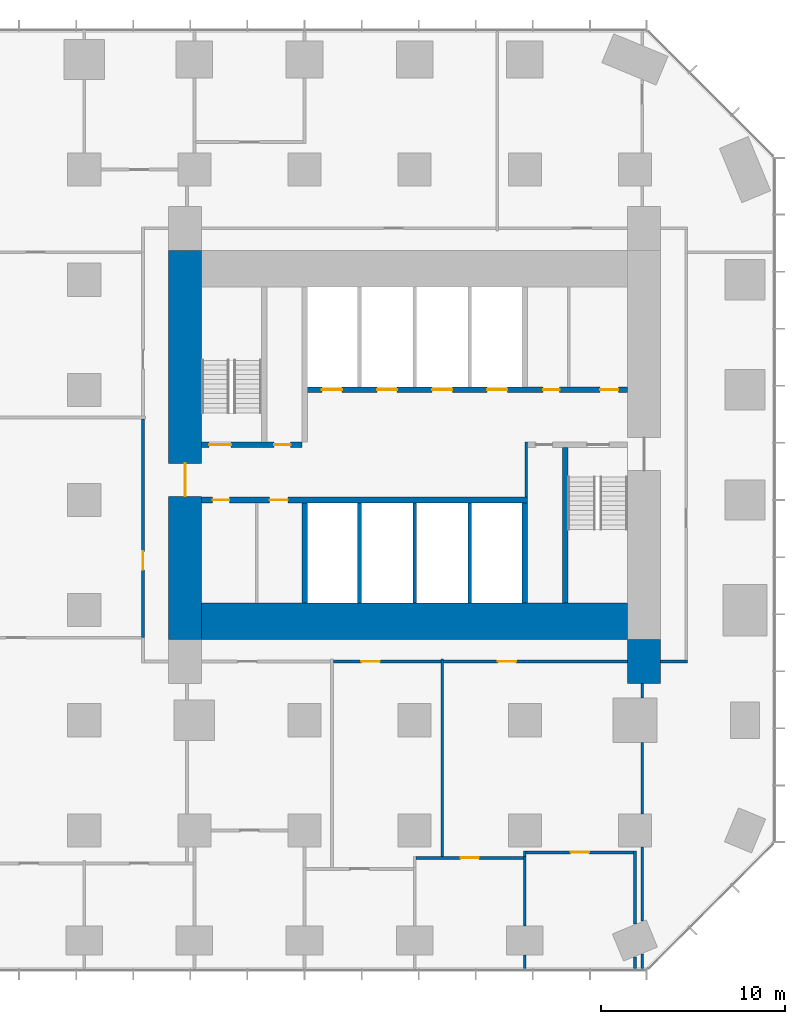
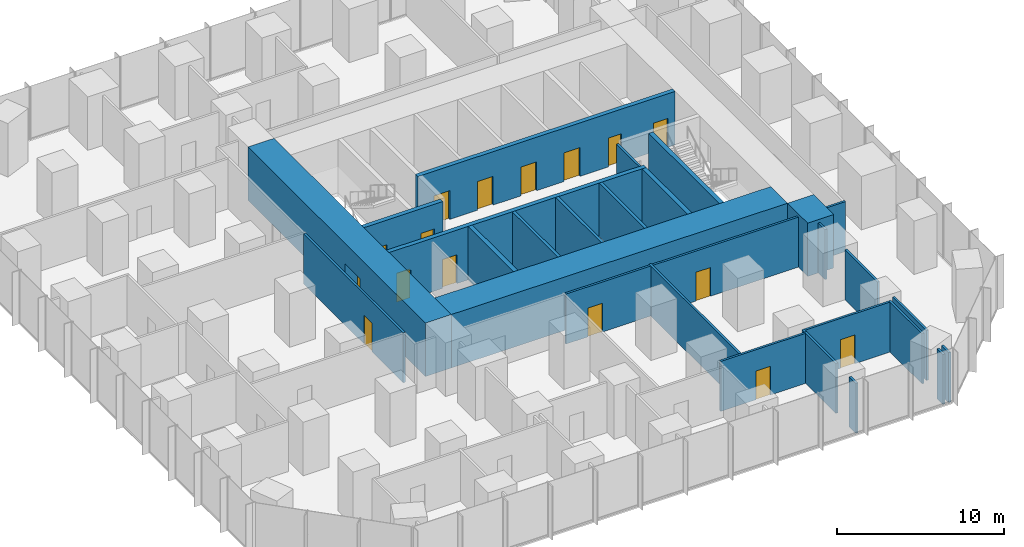
# One storey, part 9 of 12: 29 walls, 16 doors, 16 openings.
"""IFC4 building model written with IfcOpenShell, lengths in metres."""

from ifc_helpers import new_model, si_unit, direction, frame, frame_2d, origin, place, context, subcontext, project, spatial, rectangle, extrude, material, layer, layer_set, type_object, element, fill, save


model = new_model("IFC4")

# Units and contexts
model_context = context("Model", 3, precision=1e-05, world=origin(), true_north=direction((0.0, 1.0)))
body_context = subcontext(model_context, "Body", "Model", "MODEL_VIEW")
ifc_project = project(units=[si_unit("LENGTHUNIT", "METRE"), si_unit("AREAUNIT", "SQUARE_METRE"), si_unit("VOLUMEUNIT", "CUBIC_METRE"), si_unit("PLANEANGLEUNIT", "RADIAN"), si_unit("MASSUNIT", "GRAM", prefix="KILO")], contexts=[model_context])

# Site, building, storey
site_placement = place(None, origin())
site = spatial("IfcSite", under=ifc_project, at=site_placement, CompositionType="ELEMENT")
building_placement = place(site_placement, origin())
building = spatial("IfcBuilding", under=site, at=building_placement, Name="Highveld Stack Headquarters", CompositionType="ELEMENT")
storey_placement = place(building_placement, frame((0.0, 0.0, 22.10009765625)))
storey = spatial("IfcBuildingStorey", under=building, at=storey_placement, Name="L04", CompositionType="ELEMENT", Elevation=22.10009765625)

# Wall, opening, door
ifc_material_1 = material(Name="Concrete C60/75", Category="concrete")
ifc_layer_1 = layer(ifc_material_1, 1.800048828125)
ifc_layer_set_1 = layer_set([ifc_layer_1], Name="Concrete C60/75")
wall_type_1 = type_object("IfcWallType", Name="CORE WALL 1800 C60/75", PredefinedType="SHEAR", material=ifc_layer_set_1)
wall_1_placement = place(storey_placement, frame((-6.5, -7.60009765625, 0.0), z_axis=(0.0, 0.0, 1.0), x_axis=(0.0, 1.0, 0.0)))
wall_1 = element("IfcWall", 1, at=wall_1_placement, inside=storey, type_object=wall_type_1, Name="Core wall W L04", PredefinedType="SHEAR", context=body_context, shape_type="SweptSolid", body=[
    extrude(rectangle(XDim=21.2001953125, YDim=1.800048828125, at=frame_2d((10.60009765625, 0.0))), origin(), (0.0, 0.0, 1.0), 3.89990234375),
])
opening_1_placement = place(wall_1_placement, frame((7.800048828125, 0.0, 0.0)))
opening_1 = element("IfcOpeningElement", 2, at=opening_1_placement, cuts=wall_1, Name="Opening L04-01", PredefinedType="OPENING", context=body_context, shape_type="SweptSolid", body=[
    extrude(rectangle(XDim=1.800048828125, YDim=2.39990234375, at=frame_2d((0.89990234375, 1.199951171875))), frame((0.0, 0.909912109375, 0.0), z_axis=(0.0, -1.0, 0.0), x_axis=(1.0, 0.0, 0.0)), (0.0, 0.0, 1.0), 1.820068359375),
])
ifc_material_2 = material(Name="Steel fire door", Category="steel")
door_type_1 = type_object("IfcDoorType", Name="LOBBY FIRE DOOR D4 1800x2400", OperationType="DOUBLE_DOOR_SINGLE_SWING", PredefinedType="DOOR", material=ifc_material_2)
door_1_placement = place(opening_1_placement, origin())
door_1 = element("IfcDoor", 3, at=door_1_placement, inside=storey, type_object=door_type_1, Name="Core west door L04", OperationType="DOUBLE_DOOR_SINGLE_SWING", OverallHeight=2.39990234375, OverallWidth=1.800048828125, PredefinedType="DOOR", context=body_context, shape_type="SweptSolid", body=[
    extrude(rectangle(XDim=1.800048828125, YDim=2.39990234375, at=frame_2d((0.89990234375, 1.199951171875))), frame((0.0, 0.02490234375, 0.0), z_axis=(0.0, -1.0, 0.0), x_axis=(1.0, 0.0, 0.0)), (0.0, 0.0, 1.0), 0.050048828125),
])
fill(opening_1, door_1)

# Wall
ifc_material_3 = material(Name="Concrete C60/75", Category="concrete")
ifc_layer_2 = layer(ifc_material_3, 2.0)
ifc_layer_set_2 = layer_set([ifc_layer_2], Name="Concrete C60/75")
wall_type_2 = type_object("IfcWallType", Name="CORE WALL 2000 C60/75", PredefinedType="SHEAR", material=ifc_layer_set_2)
wall_2_placement = place(storey_placement, frame((-5.60009765625, -6.60009765625, 0.0), z_axis=(0.0, 0.0, 1.0), x_axis=(1.0, 0.0, 0.0)))
element("IfcWall", 4, at=wall_2_placement, inside=storey, type_object=wall_type_2, Name="Core wall S L04", PredefinedType="SHEAR", context=body_context, shape_type="SweptSolid", body=[
    extrude(rectangle(XDim=23.2001953125, YDim=2.0, at=frame_2d((11.60009765625, 0.0))), origin(), (0.0, 0.0, 1.0), 3.89990234375),
])

# Wall, openings, doors
ifc_material_4 = material(Name="Concrete C60/75", Category="concrete")
ifc_layer_3 = layer(ifc_material_4, 0.300048828125)
ifc_layer_set_3 = layer_set([ifc_layer_3], Name="Concrete C60/75")
wall_type_3 = type_object("IfcWallType", Name="CORE WALL 300 C60/75", PredefinedType="SHEAR", material=ifc_layer_set_3)
wall_3_placement = place(storey_placement, frame((-5.60009765625, 0.0, 0.0), z_axis=(0.0, 0.0, 1.0), x_axis=(1.0, 0.0, 0.0)))
wall_3 = element("IfcWall", 5, at=wall_3_placement, inside=storey, type_object=wall_type_3, Name="Core wall I-Y0 L04", PredefinedType="SHEAR", context=body_context, shape_type="SweptSolid", body=[
    extrude(rectangle(XDim=17.75, YDim=0.300048828125, at=frame_2d((8.875, 0.0))), origin(), (0.0, 0.0, 1.0), 3.89990234375),
])
opening_2_placement = place(wall_3_placement, frame((0.60009765625, 0.0, 0.0)))
opening_2 = element("IfcOpeningElement", 6, at=opening_2_placement, cuts=wall_3, Name="Opening L04-07", PredefinedType="OPENING", context=body_context, shape_type="SweptSolid", body=[
    extrude(rectangle(XDim=0.89990234375, YDim=2.10009765625, at=frame_2d((0.449951171875, 1.050048828125))), frame((0.0, 0.159912109375, 0.0), z_axis=(0.0, -1.0, 0.0), x_axis=(1.0, 0.0, 0.0)), (0.0, 0.0, 1.0), 0.320068359375),
])
opening_3_placement = place(wall_3_placement, frame((3.699951171875, 0.0, 0.0)))
opening_3 = element("IfcOpeningElement", 7, at=opening_3_placement, cuts=wall_3, Name="Opening L04-08", PredefinedType="OPENING", context=body_context, shape_type="SweptSolid", body=[
    extrude(rectangle(XDim=1.0, YDim=2.10009765625, at=frame_2d((0.5, 1.050048828125))), frame((0.0, 0.159912109375, 0.0), z_axis=(0.0, -1.0, 0.0), x_axis=(1.0, 0.0, 0.0)), (0.0, 0.0, 1.0), 0.320068359375),
])
ifc_material_5 = material(Name="Steel fire door", Category="steel")
door_type_2 = type_object("IfcDoorType", Name="CORE ROOM FIRE DOOR D14 1000x2100", OperationType="SINGLE_SWING_LEFT", PredefinedType="DOOR", material=ifc_material_5)
door_2_placement = place(opening_3_placement, origin())
door_2 = element("IfcDoor", 8, at=door_2_placement, inside=storey, type_object=door_type_2, Name="Cleaners store door L04", OperationType="SINGLE_SWING_LEFT", OverallHeight=2.10009765625, OverallWidth=1.0, PredefinedType="DOOR", context=body_context, shape_type="SweptSolid", body=[
    extrude(rectangle(XDim=1.0, YDim=2.10009765625, at=frame_2d((0.5, 1.050048828125))), frame((0.0, 0.02490234375, 0.0), z_axis=(0.0, -1.0, 0.0), x_axis=(1.0, 0.0, 0.0)), (0.0, 0.0, 1.0), 0.050048828125),
])
fill(opening_3, door_2)
ifc_material_6 = material(Name="Timber door, painted", Category="wood")
door_type_3 = type_object("IfcDoorType", Name="WC DOOR D1 900x2100", OperationType="SINGLE_SWING_LEFT", PredefinedType="DOOR", material=ifc_material_6)
door_3_placement = place(opening_2_placement, origin())
door_3 = element("IfcDoor", 9, at=door_3_placement, inside=storey, type_object=door_type_3, Name="Female WC door L04", OperationType="SINGLE_SWING_LEFT", OverallHeight=2.10009765625, OverallWidth=0.89990234375, PredefinedType="DOOR", context=body_context, shape_type="SweptSolid", body=[
    extrude(rectangle(XDim=0.89990234375, YDim=2.10009765625, at=frame_2d((0.449951171875, 1.050048828125))), frame((0.0, 0.02490234375, 0.0), z_axis=(0.0, -1.0, 0.0), x_axis=(1.0, 0.0, 0.0)), (0.0, 0.0, 1.0), 0.050048828125),
])
fill(opening_2, door_3)

wall_4_placement = place(storey_placement, frame((-5.60009765625, 3.0, 0.0), z_axis=(0.0, 0.0, 1.0), x_axis=(1.0, 0.0, 0.0)))
wall_4 = element("IfcWall", 10, at=wall_4_placement, inside=storey, type_object=wall_type_3, Name="Core wall I-Y3W L04", PredefinedType="SHEAR", context=body_context, shape_type="SweptSolid", body=[
    extrude(rectangle(XDim=5.4501953125, YDim=0.300048828125, at=frame_2d((2.72509765625, 0.0))), origin(), (0.0, 0.0, 1.0), 3.89990234375),
])
opening_4_placement = place(wall_4_placement, frame((0.39990234375, 0.0, 0.0)))
opening_4 = element("IfcOpeningElement", 11, at=opening_4_placement, cuts=wall_4, Name="Opening L04-03", PredefinedType="OPENING", context=body_context, shape_type="SweptSolid", body=[
    extrude(rectangle(XDim=1.199951171875, YDim=2.10009765625, at=frame_2d((0.60009765625, 1.050048828125))), frame((0.0, 0.159912109375, 0.0), z_axis=(0.0, -1.0, 0.0), x_axis=(1.0, 0.0, 0.0)), (0.0, 0.0, 1.0), 0.320068359375),
])
opening_5_placement = place(wall_4_placement, frame((3.949951171875, 0.0, 0.0)))
opening_5 = element("IfcOpeningElement", 12, at=opening_5_placement, cuts=wall_4, Name="Opening L04-04", PredefinedType="OPENING", context=body_context, shape_type="SweptSolid", body=[
    extrude(rectangle(XDim=0.89990234375, YDim=2.10009765625, at=frame_2d((0.449951171875, 1.050048828125))), frame((0.0, 0.159912109375, 0.0), z_axis=(0.0, -1.0, 0.0), x_axis=(1.0, 0.0, 0.0)), (0.0, 0.0, 1.0), 0.320068359375),
])
ifc_material_7 = material(Name="Steel fire door", Category="steel")
door_type_4 = type_object("IfcDoorType", Name="RISER ACCESS DOOR D5 900x2100", OperationType="SINGLE_SWING_LEFT", PredefinedType="DOOR", material=ifc_material_7)
door_4_placement = place(opening_5_placement, origin())
door_4 = element("IfcDoor", 13, at=door_4_placement, inside=storey, type_object=door_type_4, Name="Riser R1 door L04", OperationType="SINGLE_SWING_RIGHT", OverallHeight=2.10009765625, OverallWidth=0.89990234375, PredefinedType="DOOR", context=body_context, shape_type="SweptSolid", body=[
    extrude(rectangle(XDim=0.89990234375, YDim=2.10009765625, at=frame_2d((0.449951171875, 1.050048828125))), frame((0.0, 0.02490234375, 0.0), z_axis=(0.0, -1.0, 0.0), x_axis=(1.0, 0.0, 0.0)), (0.0, 0.0, 1.0), 0.050048828125),
])
fill(opening_5, door_4)
ifc_material_8 = material(Name="Steel fire door", Category="steel")
door_type_5 = type_object("IfcDoorType", Name="STAIR FIRE DOOR D3 1200x2100", OperationType="SINGLE_SWING_LEFT", PredefinedType="DOOR", material=ifc_material_8)
door_5_placement = place(opening_4_placement, origin())
door_5 = element("IfcDoor", 14, at=door_5_placement, inside=storey, type_object=door_type_5, Name="Stair S1 door L04", OperationType="SINGLE_SWING_LEFT", OverallHeight=2.10009765625, OverallWidth=1.199951171875, PredefinedType="DOOR", context=body_context, shape_type="SweptSolid", body=[
    extrude(rectangle(XDim=1.199951171875, YDim=2.10009765625, at=frame_2d((0.60009765625, 1.050048828125))), frame((0.0, 0.02490234375, 0.0), z_axis=(0.0, -1.0, 0.0), x_axis=(1.0, 0.0, 0.0)), (0.0, 0.0, 1.0), 0.050048828125),
])
fill(opening_4, door_5)

wall_5_placement = place(storey_placement, frame((-0.14990234375, 6.0, 0.0), z_axis=(0.0, 0.0, 1.0), x_axis=(1.0, 0.0, 0.0)))
wall_5 = element("IfcWall", 15, at=wall_5_placement, inside=storey, type_object=wall_type_3, Name="Core wall I-Y6 L04", PredefinedType="SHEAR", context=body_context, shape_type="SweptSolid", body=[
    extrude(rectangle(XDim=17.75, YDim=0.300048828125, at=frame_2d((8.875, 0.0))), origin(), (0.0, 0.0, 1.0), 3.89990234375),
])
opening_6_placement = place(wall_5_placement, frame((13.14990234375, 0.0, 0.0)))
opening_6 = element("IfcOpeningElement", 16, at=opening_6_placement, cuts=wall_5, Name="Opening L04-09", PredefinedType="OPENING", context=body_context, shape_type="SweptSolid", body=[
    extrude(rectangle(XDim=0.89990234375, YDim=2.10009765625, at=frame_2d((0.449951171875, 1.050048828125))), frame((0.0, 0.159912109375, 0.0), z_axis=(0.0, -1.0, 0.0), x_axis=(1.0, 0.0, 0.0)), (0.0, 0.0, 1.0), 0.320068359375),
])
opening_7_placement = place(wall_5_placement, frame((16.25, 0.0, 0.0)))
opening_7 = element("IfcOpeningElement", 17, at=opening_7_placement, cuts=wall_5, Name="Opening L04-10", PredefinedType="OPENING", context=body_context, shape_type="SweptSolid", body=[
    extrude(rectangle(XDim=1.0, YDim=2.10009765625, at=frame_2d((0.5, 1.050048828125))), frame((0.0, 0.159912109375, 0.0), z_axis=(0.0, -1.0, 0.0), x_axis=(1.0, 0.0, 0.0)), (0.0, 0.0, 1.0), 0.320068359375),
])
opening_8_placement = place(wall_5_placement, frame((1.10009765625, 0.0, 0.0)))
opening_8 = element("IfcOpeningElement", 18, at=opening_8_placement, cuts=wall_5, Name="Opening LD", PredefinedType="OPENING", context=body_context, shape_type="SweptSolid", body=[
    extrude(rectangle(XDim=1.10009765625, YDim=2.10009765625, at=frame_2d((0.550048828125, 1.050048828125))), frame((0.0, 0.159912109375, 0.0), z_axis=(0.0, -1.0, 0.0), x_axis=(1.0, 0.0, 0.0)), (0.0, 0.0, 1.0), 0.320068359375),
])
opening_9_placement = place(wall_5_placement, frame((4.10009765625, 0.0, 0.0)))
opening_9 = element("IfcOpeningElement", 19, at=opening_9_placement, cuts=wall_5, Name="Opening LD", PredefinedType="OPENING", context=body_context, shape_type="SweptSolid", body=[
    extrude(rectangle(XDim=1.10009765625, YDim=2.10009765625, at=frame_2d((0.550048828125, 1.050048828125))), frame((0.0, 0.159912109375, 0.0), z_axis=(0.0, -1.0, 0.0), x_axis=(1.0, 0.0, 0.0)), (0.0, 0.0, 1.0), 0.320068359375),
])
opening_10_placement = place(wall_5_placement, frame((7.10009765625, 0.0, 0.0)))
opening_10 = element("IfcOpeningElement", 20, at=opening_10_placement, cuts=wall_5, Name="Opening LD", PredefinedType="OPENING", context=body_context, shape_type="SweptSolid", body=[
    extrude(rectangle(XDim=1.10009765625, YDim=2.10009765625, at=frame_2d((0.550048828125, 1.050048828125))), frame((0.0, 0.159912109375, 0.0), z_axis=(0.0, -1.0, 0.0), x_axis=(1.0, 0.0, 0.0)), (0.0, 0.0, 1.0), 0.320068359375),
])
opening_11_placement = place(wall_5_placement, frame((10.10009765625, 0.0, 0.0)))
opening_11 = element("IfcOpeningElement", 21, at=opening_11_placement, cuts=wall_5, Name="Opening LD", PredefinedType="OPENING", context=body_context, shape_type="SweptSolid", body=[
    extrude(rectangle(XDim=1.10009765625, YDim=2.10009765625, at=frame_2d((0.550048828125, 1.050048828125))), frame((0.0, 0.159912109375, 0.0), z_axis=(0.0, -1.0, 0.0), x_axis=(1.0, 0.0, 0.0)), (0.0, 0.0, 1.0), 0.320068359375),
])
ifc_material_9 = material(Name="Timber door, painted", Category="wood")
door_type_6 = type_object("IfcDoorType", Name="ACCESSIBLE WC DOOR D2 1000x2100", OperationType="SINGLE_SWING_RIGHT", PredefinedType="DOOR", material=ifc_material_9)
door_6_placement = place(opening_7_placement, origin())
door_6 = element("IfcDoor", 22, at=door_6_placement, inside=storey, type_object=door_type_6, Name="Accessible WC door L04", OperationType="SINGLE_SWING_RIGHT", OverallHeight=2.10009765625, OverallWidth=1.0, PredefinedType="DOOR", context=body_context, shape_type="SweptSolid", body=[
    extrude(rectangle(XDim=1.0, YDim=2.10009765625, at=frame_2d((0.5, 1.050048828125))), frame((0.0, 0.02490234375, 0.0), z_axis=(0.0, -1.0, 0.0), x_axis=(1.0, 0.0, 0.0)), (0.0, 0.0, 1.0), 0.050048828125),
])
fill(opening_7, door_6)
ifc_material_10 = material(Name="Stainless steel lift landing door", Category="steel")
door_type_7 = type_object("IfcDoorType", Name="LIFT LANDING DOOR LD 1100x2100", OperationType="DOUBLE_DOOR_SLIDING", PredefinedType="USERDEFINED", material=ifc_material_10)
door_7_placement = place(opening_8_placement, origin())
door_7 = element("IfcDoor", 23, at=door_7_placement, inside=storey, type_object=door_type_7, Name="Lift landing door FF1 L04", ObjectType="LIFT LANDING DOOR", OperationType="DOUBLE_DOOR_SLIDING", OverallHeight=2.10009765625, OverallWidth=1.10009765625, PredefinedType="USERDEFINED", context=body_context, shape_type="SweptSolid", body=[
    extrude(rectangle(XDim=1.10009765625, YDim=2.10009765625, at=frame_2d((0.550048828125, 1.050048828125))), frame((0.0, 0.02490234375, 0.0), z_axis=(0.0, -1.0, 0.0), x_axis=(1.0, 0.0, 0.0)), (0.0, 0.0, 1.0), 0.050048828125),
])
fill(opening_8, door_7)
door_8_placement = place(opening_9_placement, origin())
door_8 = element("IfcDoor", 24, at=door_8_placement, inside=storey, type_object=door_type_7, Name="Lift landing door FF2 L04", ObjectType="LIFT LANDING DOOR", OperationType="DOUBLE_DOOR_SLIDING", OverallHeight=2.10009765625, OverallWidth=1.10009765625, PredefinedType="USERDEFINED", context=body_context, shape_type="SweptSolid", body=[
    extrude(rectangle(XDim=1.10009765625, YDim=2.10009765625, at=frame_2d((0.550048828125, 1.050048828125))), frame((0.0, 0.02490234375, 0.0), z_axis=(0.0, -1.0, 0.0), x_axis=(1.0, 0.0, 0.0)), (0.0, 0.0, 1.0), 0.050048828125),
])
fill(opening_9, door_8)
door_9_placement = place(opening_10_placement, origin())
door_9 = element("IfcDoor", 25, at=door_9_placement, inside=storey, type_object=door_type_7, Name="Lift landing door A1 L04", ObjectType="LIFT LANDING DOOR", OperationType="DOUBLE_DOOR_SLIDING", OverallHeight=2.10009765625, OverallWidth=1.10009765625, PredefinedType="USERDEFINED", context=body_context, shape_type="SweptSolid", body=[
    extrude(rectangle(XDim=1.10009765625, YDim=2.10009765625, at=frame_2d((0.550048828125, 1.050048828125))), frame((0.0, 0.02490234375, 0.0), z_axis=(0.0, -1.0, 0.0), x_axis=(1.0, 0.0, 0.0)), (0.0, 0.0, 1.0), 0.050048828125),
])
fill(opening_10, door_9)
door_10_placement = place(opening_11_placement, origin())
door_10 = element("IfcDoor", 26, at=door_10_placement, inside=storey, type_object=door_type_7, Name="Lift landing door A2 L04", ObjectType="LIFT LANDING DOOR", OperationType="DOUBLE_DOOR_SLIDING", OverallHeight=2.10009765625, OverallWidth=1.10009765625, PredefinedType="USERDEFINED", context=body_context, shape_type="SweptSolid", body=[
    extrude(rectangle(XDim=1.10009765625, YDim=2.10009765625, at=frame_2d((0.550048828125, 1.050048828125))), frame((0.0, 0.02490234375, 0.0), z_axis=(0.0, -1.0, 0.0), x_axis=(1.0, 0.0, 0.0)), (0.0, 0.0, 1.0), 0.050048828125),
])
fill(opening_11, door_10)
door_11_placement = place(opening_6_placement, origin())
door_11 = element("IfcDoor", 27, at=door_11_placement, inside=storey, type_object=door_type_3, Name="Male WC door L04", OperationType="SINGLE_SWING_RIGHT", OverallHeight=2.10009765625, OverallWidth=0.89990234375, PredefinedType="DOOR", context=body_context, shape_type="SweptSolid", body=[
    extrude(rectangle(XDim=0.89990234375, YDim=2.10009765625, at=frame_2d((0.449951171875, 1.050048828125))), frame((0.0, 0.02490234375, 0.0), z_axis=(0.0, -1.0, 0.0), x_axis=(1.0, 0.0, 0.0)), (0.0, 0.0, 1.0), 0.050048828125),
])
fill(opening_6, door_11)

# Walls
for number, where, z_axis, x_axis, name in (
    (28, (0.0, -5.60009765625, 0.0), (0.0, 0.0, 1.0), (0.0, 1.0, 0.0), "Core wall I-X0S L04"),
    (29, (12.0, -5.60009765625, 0.0), (0.0, 0.0, 1.0), (0.0, 1.0, 0.0), "Core wall I-X12S L04"),
):
    element("IfcWall", number, at=place(storey_placement, frame(where, z_axis=z_axis, x_axis=x_axis)), inside=storey, type_object=wall_type_3, Name=name, PredefinedType="SHEAR", context=body_context, shape_type="SweptSolid", body=[
        extrude(rectangle(XDim=5.4501953125, YDim=0.300048828125, at=frame_2d((2.72509765625, 0.0))), origin(), (0.0, 0.0, 1.0), 3.89990234375),
    ])
wall_6_placement = place(storey_placement, frame((14.199951171875, -5.60009765625, 0.0), z_axis=(0.0, 0.0, 1.0), x_axis=(0.0, 1.0, 0.0)))
element("IfcWall", 30, at=wall_6_placement, inside=storey, type_object=wall_type_3, Name="Core wall I-RE L04", PredefinedType="SHEAR", context=body_context, shape_type="SweptSolid", body=[
    extrude(rectangle(XDim=8.4501953125, YDim=0.300048828125, at=frame_2d((4.22509765625, 0.0))), origin(), (0.0, 0.0, 1.0), 3.89990234375),
])
ifc_material_11 = material(Name="Concrete C60/75", Category="concrete")
ifc_layer_4 = layer(ifc_material_11, 1.800048828125)
ifc_layer_set_4 = layer_set([ifc_layer_4], Name="Concrete C60/75")
wall_type_4 = type_object("IfcWallType", Name="CORE WING WALL 1800 C60/75", PredefinedType="SHEAR", material=ifc_layer_set_4)
wall_7_placement = place(storey_placement, frame((18.5, -10.0, 0.0), z_axis=(0.0, 0.0, 1.0), x_axis=(0.0, 1.0, 0.0)))
element("IfcWall", 31, at=wall_7_placement, inside=storey, type_object=wall_type_4, Name="Core wing wall ES L04", PredefinedType="SHEAR", context=body_context, shape_type="SweptSolid", body=[
    extrude(rectangle(XDim=2.39990234375, YDim=1.800048828125, at=frame_2d((1.199951171875, 0.0))), origin(), (0.0, 0.0, 1.0), 3.89990234375),
])
ifc_material_12 = material(Name="Concrete blockwork, plastered", Category="masonry")
ifc_layer_5 = layer(ifc_material_12, 0.14990234375)
ifc_layer_set_5 = layer_set([ifc_layer_5], Name="Concrete blockwork, plastered")
wall_type_5 = type_object("IfcWallType", Name="FIRE PARTITION 150 BLOCKWORK", PredefinedType="PARTITIONING", material=ifc_layer_set_5)
wall_8_placement = place(storey_placement, frame((12.074951171875, 0.14990234375, 0.0), z_axis=(0.0, 0.0, 1.0), x_axis=(0.0, 1.0, 0.0)))
element("IfcWall", 32, at=wall_8_placement, inside=storey, type_object=wall_type_5, Name="Riser R2 enclosure L04", PredefinedType="PARTITIONING", context=body_context, shape_type="SweptSolid", body=[
    extrude(rectangle(XDim=3.0, YDim=0.14990234375, at=frame_2d((1.5, 0.0))), origin(), (0.0, 0.0, 1.0), 3.64990234375),
])
ifc_material_13 = material(Name="Concrete blockwork, fair-faced", Category="masonry")
ifc_layer_6 = layer(ifc_material_13, 0.199951171875)
ifc_layer_set_6 = layer_set([ifc_layer_6], Name="Concrete blockwork, fair-faced")
wall_type_6 = type_object("IfcWallType", Name="LIFT SHAFT ENCLOSURE WALL 200 BLOCKWORK", PredefinedType="SOLIDWALL", material=ifc_layer_set_6)
for number, where, z_axis, x_axis, name in (
    (33, (3.0, -5.60009765625, 0.0), (0.0, 0.0, 1.0), (0.0, 1.0, 0.0), "Lift shaft wall L04"),
    (34, (6.0, -5.60009765625, 0.0), (0.0, 0.0, 1.0), (0.0, 1.0, 0.0), "Lift shaft wall L04"),
    (35, (9.0, -5.60009765625, 0.0), (0.0, 0.0, 1.0), (0.0, 1.0, 0.0), "Lift shaft wall L04"),
):
    element("IfcWall", number, at=place(storey_placement, frame(where, z_axis=z_axis, x_axis=x_axis)), inside=storey, type_object=wall_type_6, Name=name, PredefinedType="SOLIDWALL", context=body_context, shape_type="SweptSolid", body=[
        extrude(rectangle(XDim=5.4501953125, YDim=0.199951171875, at=frame_2d((2.72509765625, 0.0))), origin(), (0.0, 0.0, 1.0), 3.89990234375),
    ])

# Wall, opening, door
ifc_material_14 = material(Name="Gypsum plasterboard on steel studs", Category="steel")
ifc_layer_7 = layer(ifc_material_14, 0.14990234375)
ifc_layer_set_7 = layer_set([ifc_layer_7], Name="Gypsum plasterboard on steel studs")
wall_type_7 = type_object("IfcWallType", Name="PARTITION 150 PLASTERBOARD", PredefinedType="PARTITIONING", material=ifc_layer_set_7)
wall_9_placement = place(storey_placement, frame((6.074951171875, -19.5, 0.0), z_axis=(0.0, 0.0, 1.0), x_axis=(1.0, 0.0, 0.0)))
wall_9 = element("IfcWall", 36, at=wall_9_placement, inside=storey, type_object=wall_type_7, Name="Partition Quiet room L04", PredefinedType="PARTITIONING", context=body_context, shape_type="SweptSolid", body=[
    extrude(rectangle(XDim=5.85009765625, YDim=0.14990234375, at=frame_2d((2.925048828125, 0.0))), origin(), (0.0, 0.0, 1.0), 3.64990234375),
])
opening_12_placement = place(wall_9_placement, frame((2.425048828125, 0.0, 0.0)))
opening_12 = element("IfcOpeningElement", 37, at=opening_12_placement, cuts=wall_9, Name="Opening L04-15", PredefinedType="OPENING", context=body_context, shape_type="SweptSolid", body=[
    extrude(rectangle(XDim=1.0, YDim=2.10009765625, at=frame_2d((0.5, 1.050048828125))), frame((0.0, 0.0849609375, 0.0), z_axis=(0.0, -1.0, 0.0), x_axis=(1.0, 0.0, 0.0)), (0.0, 0.0, 1.0), 0.169921875),
])
ifc_material_15 = material(Name="Timber door, oiled ash", Category="wood")
door_type_8 = type_object("IfcDoorType", Name="ROOM DOOR D6 1000x2100", OperationType="SINGLE_SWING_LEFT", PredefinedType="DOOR", material=ifc_material_15)
door_12_placement = place(opening_12_placement, origin())
door_12 = element("IfcDoor", 38, at=door_12_placement, inside=storey, type_object=door_type_8, Name="Quiet room door 1 L04", OperationType="SINGLE_SWING_LEFT", OverallHeight=2.10009765625, OverallWidth=1.0, PredefinedType="DOOR", context=body_context, shape_type="SweptSolid", body=[
    extrude(rectangle(XDim=1.0, YDim=2.10009765625, at=frame_2d((0.5, 1.050048828125))), frame((0.0, 0.02490234375, 0.0), z_axis=(0.0, -1.0, 0.0), x_axis=(1.0, 0.0, 0.0)), (0.0, 0.0, 1.0), 0.050048828125),
])
fill(opening_12, door_12)

wall_10_placement = place(storey_placement, frame((12.074951171875, -19.199951171875, 0.0), z_axis=(0.0, 0.0, 1.0), x_axis=(1.0, 0.0, 0.0)))
wall_10 = element("IfcWall", 39, at=wall_10_placement, inside=storey, type_object=wall_type_7, Name="Partition Tea kitchen L04", PredefinedType="PARTITIONING", context=body_context, shape_type="SweptSolid", body=[
    extrude(rectangle(XDim=5.85009765625, YDim=0.14990234375, at=frame_2d((2.925048828125, 0.0))), origin(), (0.0, 0.0, 1.0), 3.64990234375),
])
opening_13_placement = place(wall_10_placement, frame((2.425048828125, 0.0, 0.0)))
opening_13 = element("IfcOpeningElement", 40, at=opening_13_placement, cuts=wall_10, Name="Opening L04-16", PredefinedType="OPENING", context=body_context, shape_type="SweptSolid", body=[
    extrude(rectangle(XDim=1.0, YDim=2.10009765625, at=frame_2d((0.5, 1.050048828125))), frame((0.0, 0.0849609375, 0.0), z_axis=(0.0, -1.0, 0.0), x_axis=(1.0, 0.0, 0.0)), (0.0, 0.0, 1.0), 0.169921875),
])
door_13_placement = place(opening_13_placement, origin())
door_13 = element("IfcDoor", 41, at=door_13_placement, inside=storey, type_object=door_type_8, Name="Tea kitchen door 1 L04", OperationType="SINGLE_SWING_RIGHT", OverallHeight=2.10009765625, OverallWidth=1.0, PredefinedType="DOOR", context=body_context, shape_type="SweptSolid", body=[
    extrude(rectangle(XDim=1.0, YDim=2.10009765625, at=frame_2d((0.5, 1.050048828125))), frame((0.0, 0.02490234375, 0.0), z_axis=(0.0, -1.0, 0.0), x_axis=(1.0, 0.0, 0.0)), (0.0, 0.0, 1.0), 0.050048828125),
])
fill(opening_13, door_13)

# Walls
wall_11_placement = place(storey_placement, frame((12.0, -25.60009765625, 0.0), z_axis=(0.0, 0.0, 1.0), x_axis=(0.0, 1.0, 0.0)))
element("IfcWall", 42, at=wall_11_placement, inside=storey, type_object=wall_type_7, Name="Partition Quiet room / Tea kitchen L04", PredefinedType="PARTITIONING", context=body_context, shape_type="SweptSolid", body=[
    extrude(rectangle(XDim=0.800048828125, YDim=0.14990234375, at=frame_2d((0.39990234375, 0.0))), origin(), (0.0, 0.0, 1.0), 3.64990234375),
])
wall_12_placement = place(storey_placement, frame((12.0, -23.199951171875, 0.0), z_axis=(0.0, 0.0, 1.0), x_axis=(0.0, 1.0, 0.0)))
element("IfcWall", 43, at=wall_12_placement, inside=storey, type_object=wall_type_7, Name="Partition Quiet room / Tea kitchen L04", PredefinedType="PARTITIONING", context=body_context, shape_type="SweptSolid", body=[
    extrude(rectangle(XDim=3.77490234375, YDim=0.14990234375, at=frame_2d((1.887451171875, 0.0))), origin(), (0.0, 0.0, 1.0), 3.64990234375),
])
wall_13_placement = place(storey_placement, frame((12.0, -19.425048828125, 0.0), z_axis=(0.0, 0.0, 1.0), x_axis=(0.0, 1.0, 0.0)))
element("IfcWall", 44, at=wall_13_placement, inside=storey, type_object=wall_type_7, Name="Partition Tea kitchen L04", PredefinedType="PARTITIONING", context=body_context, shape_type="SweptSolid", body=[
    extrude(rectangle(XDim=0.300048828125, YDim=0.14990234375, at=frame_2d((0.14990234375, 0.0))), origin(), (0.0, 0.0, 1.0), 3.64990234375),
])
wall_14_placement = place(storey_placement, frame((18.0, -25.60009765625, 0.0), z_axis=(0.0, 0.0, 1.0), x_axis=(0.0, 1.0, 0.0)))
element("IfcWall", 45, at=wall_14_placement, inside=storey, type_object=wall_type_7, Name="Partition Tea kitchen L04", PredefinedType="PARTITIONING", context=body_context, shape_type="SweptSolid", body=[
    extrude(rectangle(XDim=0.703125, YDim=0.14990234375, at=frame_2d((0.3515625, 0.0))), origin(), (0.0, 0.0, 1.0), 3.64990234375),
])
wall_15_placement = place(storey_placement, frame((18.0, -23.10302734375, 0.0), z_axis=(0.0, 0.0, 1.0), x_axis=(0.0, 1.0, 0.0)))
element("IfcWall", 46, at=wall_15_placement, inside=storey, type_object=wall_type_7, Name="Partition Tea kitchen L04", PredefinedType="PARTITIONING", context=body_context, shape_type="SweptSolid", body=[
    extrude(rectangle(XDim=3.97802734375, YDim=0.14990234375, at=frame_2d((1.989013671875, 0.0))), origin(), (0.0, 0.0, 1.0), 3.64990234375),
])

# Wall, opening, door
wall_16_placement = place(storey_placement, frame((-8.800048828125, -7.5, 0.0), z_axis=(0.0, 0.0, 1.0), x_axis=(0.0, 1.0, 0.0)))
wall_16 = element("IfcWall", 47, at=wall_16_placement, inside=storey, type_object=wall_type_7, Name="Partition office neighbourhood L04", PredefinedType="PARTITIONING", context=body_context, shape_type="SweptSolid", body=[
    extrude(rectangle(XDim=11.925048828125, YDim=0.14990234375, at=frame_2d((5.96240234375, 0.0))), origin(), (0.0, 0.0, 1.0), 3.64990234375),
])
opening_14_placement = place(wall_16_placement, frame((3.699951171875, 0.0, 0.0)))
opening_14 = element("IfcOpeningElement", 48, at=opening_14_placement, cuts=wall_16, Name="Opening L04-27", PredefinedType="OPENING", context=body_context, shape_type="SweptSolid", body=[
    extrude(rectangle(XDim=1.0, YDim=2.10009765625, at=frame_2d((0.5, 1.050048828125))), frame((0.0, 0.0849609375, 0.0), z_axis=(0.0, -1.0, 0.0), x_axis=(1.0, 0.0, 0.0)), (0.0, 0.0, 1.0), 0.169921875),
])
door_14_placement = place(opening_14_placement, origin())
door_14 = element("IfcDoor", 49, at=door_14_placement, inside=storey, type_object=door_type_8, Name="Office neighbourhood door L04", OperationType="SINGLE_SWING_LEFT", OverallHeight=2.10009765625, OverallWidth=1.0, PredefinedType="DOOR", context=body_context, shape_type="SweptSolid", body=[
    extrude(rectangle(XDim=1.0, YDim=2.10009765625, at=frame_2d((0.5, 1.050048828125))), frame((0.0, 0.02490234375, 0.0), z_axis=(0.0, -1.0, 0.0), x_axis=(1.0, 0.0, 0.0)), (0.0, 0.0, 1.0), 0.050048828125),
])
fill(opening_14, door_14)

wall_17_placement = place(storey_placement, frame((1.574951171875, -8.800048828125, 0.0), z_axis=(0.0, 0.0, 1.0), x_axis=(1.0, 0.0, 0.0)))
wall_17 = element("IfcWall", 50, at=wall_17_placement, inside=storey, type_object=wall_type_7, Name="Partition office neighbourhood L04", PredefinedType="PARTITIONING", context=body_context, shape_type="SweptSolid", body=[
    extrude(rectangle(XDim=5.85009765625, YDim=0.14990234375, at=frame_2d((2.925048828125, 0.0))), origin(), (0.0, 0.0, 1.0), 3.64990234375),
])
opening_15_placement = place(wall_17_placement, frame((1.52490234375, 0.0, 0.0)))
opening_15 = element("IfcOpeningElement", 51, at=opening_15_placement, cuts=wall_17, Name="Opening L04-23", PredefinedType="OPENING", context=body_context, shape_type="SweptSolid", body=[
    extrude(rectangle(XDim=1.0, YDim=2.10009765625, at=frame_2d((0.5, 1.050048828125))), frame((0.0, 0.0849609375, 0.0), z_axis=(0.0, -1.0, 0.0), x_axis=(1.0, 0.0, 0.0)), (0.0, 0.0, 1.0), 0.169921875),
])
door_15_placement = place(opening_15_placement, origin())
door_15 = element("IfcDoor", 52, at=door_15_placement, inside=storey, type_object=door_type_8, Name="Office neighbourhood door L04", OperationType="SINGLE_SWING_LEFT", OverallHeight=2.10009765625, OverallWidth=1.0, PredefinedType="DOOR", context=body_context, shape_type="SweptSolid", body=[
    extrude(rectangle(XDim=1.0, YDim=2.10009765625, at=frame_2d((0.5, 1.050048828125))), frame((0.0, 0.02490234375, 0.0), z_axis=(0.0, -1.0, 0.0), x_axis=(1.0, 0.0, 0.0)), (0.0, 0.0, 1.0), 0.050048828125),
])
fill(opening_15, door_15)

# Wall
wall_18_placement = place(storey_placement, frame((7.5, -19.425048828125, 0.0), z_axis=(0.0, 0.0, 1.0), x_axis=(0.0, 1.0, 0.0)))
element("IfcWall", 53, at=wall_18_placement, inside=storey, type_object=wall_type_7, Name="Partition office neighbourhood L04", PredefinedType="PARTITIONING", context=body_context, shape_type="SweptSolid", body=[
    extrude(rectangle(XDim=10.775146484375, YDim=0.14990234375, at=frame_2d((5.3876953125, 0.0))), origin(), (0.0, 0.0, 1.0), 3.64990234375),
])

# Wall, opening, door
wall_19_placement = place(storey_placement, frame((7.574951171875, -8.800048828125, 0.0), z_axis=(0.0, 0.0, 1.0), x_axis=(1.0, 0.0, 0.0)))
wall_19 = element("IfcWall", 54, at=wall_19_placement, inside=storey, type_object=wall_type_7, Name="Partition office neighbourhood L04", PredefinedType="PARTITIONING", context=body_context, shape_type="SweptSolid", body=[
    extrude(rectangle(XDim=10.025146484375, YDim=0.14990234375, at=frame_2d((5.0126953125, 0.0))), origin(), (0.0, 0.0, 1.0), 3.64990234375),
])
opening_16_placement = place(wall_19_placement, frame((2.9599609375, 0.0, 0.0)))
opening_16 = element("IfcOpeningElement", 55, at=opening_16_placement, cuts=wall_19, Name="Opening L04-24", PredefinedType="OPENING", context=body_context, shape_type="SweptSolid", body=[
    extrude(rectangle(XDim=1.0, YDim=2.10009765625, at=frame_2d((0.5, 1.050048828125))), frame((0.0, 0.0849609375, 0.0), z_axis=(0.0, -1.0, 0.0), x_axis=(1.0, 0.0, 0.0)), (0.0, 0.0, 1.0), 0.169921875),
])
door_16_placement = place(opening_16_placement, origin())
door_16 = element("IfcDoor", 56, at=door_16_placement, inside=storey, type_object=door_type_8, Name="Office neighbourhood door L04", OperationType="SINGLE_SWING_LEFT", OverallHeight=2.10009765625, OverallWidth=1.0, PredefinedType="DOOR", context=body_context, shape_type="SweptSolid", body=[
    extrude(rectangle(XDim=1.0, YDim=2.10009765625, at=frame_2d((0.5, 1.050048828125))), frame((0.0, 0.02490234375, 0.0), z_axis=(0.0, -1.0, 0.0), x_axis=(1.0, 0.0, 0.0)), (0.0, 0.0, 1.0), 0.050048828125),
])
fill(opening_16, door_16)

# Walls
wall_20_placement = place(storey_placement, frame((18.39990234375, -25.60009765625, 0.0), z_axis=(0.0, 0.0, 1.0), x_axis=(0.0, 1.0, 0.0)))
element("IfcWall", 57, at=wall_20_placement, inside=storey, type_object=wall_type_7, Name="Partition office neighbourhood L04", PredefinedType="PARTITIONING", context=body_context, shape_type="SweptSolid", body=[
    extrude(rectangle(XDim=0.868896484375, YDim=0.14990234375, at=frame_2d((0.4345703125, 0.0))), origin(), (0.0, 0.0, 1.0), 3.64990234375),
])
wall_21_placement = place(storey_placement, frame((18.39990234375, -22.937255859375, 0.0), z_axis=(0.0, 0.0, 1.0), x_axis=(0.0, 1.0, 0.0)))
element("IfcWall", 58, at=wall_21_placement, inside=storey, type_object=wall_type_7, Name="Partition office neighbourhood L04", PredefinedType="PARTITIONING", context=body_context, shape_type="SweptSolid", body=[
    extrude(rectangle(XDim=4.037353515625, YDim=0.14990234375, at=frame_2d((2.0185546875, 0.0))), origin(), (0.0, 0.0, 1.0), 3.64990234375),
])
wall_22_placement = place(storey_placement, frame((18.39990234375, -17.10009765625, 0.0), z_axis=(0.0, 0.0, 1.0), x_axis=(0.0, 1.0, 0.0)))
element("IfcWall", 59, at=wall_22_placement, inside=storey, type_object=wall_type_7, Name="Partition office neighbourhood L04", PredefinedType="PARTITIONING", context=body_context, shape_type="SweptSolid", body=[
    extrude(rectangle(XDim=3.900146484375, YDim=0.14990234375, at=frame_2d((1.9501953125, 0.0))), origin(), (0.0, 0.0, 1.0), 3.64990234375),
])
wall_23_placement = place(storey_placement, frame((18.39990234375, -10.800048828125, 0.0), z_axis=(0.0, 0.0, 1.0), x_axis=(0.0, 1.0, 0.0)))
element("IfcWall", 60, at=wall_23_placement, inside=storey, type_object=wall_type_7, Name="Partition office neighbourhood L04", PredefinedType="PARTITIONING", context=body_context, shape_type="SweptSolid", body=[
    extrude(rectangle(XDim=0.800048828125, YDim=0.14990234375, at=frame_2d((0.39990234375, 0.0))), origin(), (0.0, 0.0, 1.0), 3.64990234375),
])
wall_24_placement = place(storey_placement, frame((19.39990234375, -8.800048828125, 0.0), z_axis=(0.0, 0.0, 1.0), x_axis=(1.0, 0.0, 0.0)))
element("IfcWall", 61, at=wall_24_placement, inside=storey, type_object=wall_type_7, Name="Partition office neighbourhood L04", PredefinedType="PARTITIONING", context=body_context, shape_type="SweptSolid", body=[
    extrude(rectangle(XDim=1.47509765625, YDim=0.14990234375, at=frame_2d((0.737548828125, 0.0))), origin(), (0.0, 0.0, 1.0), 3.64990234375),
])

save(model, "model.ifc")
